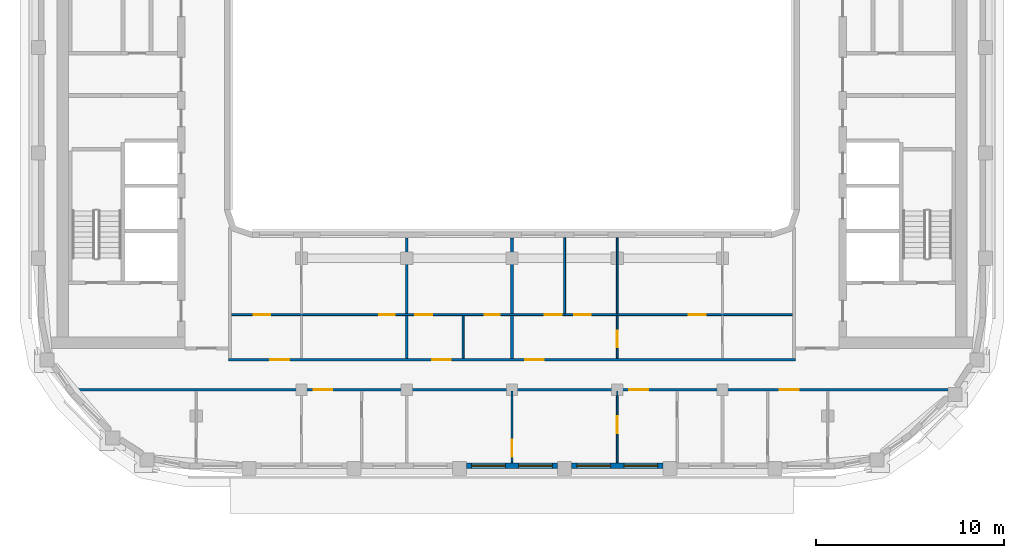
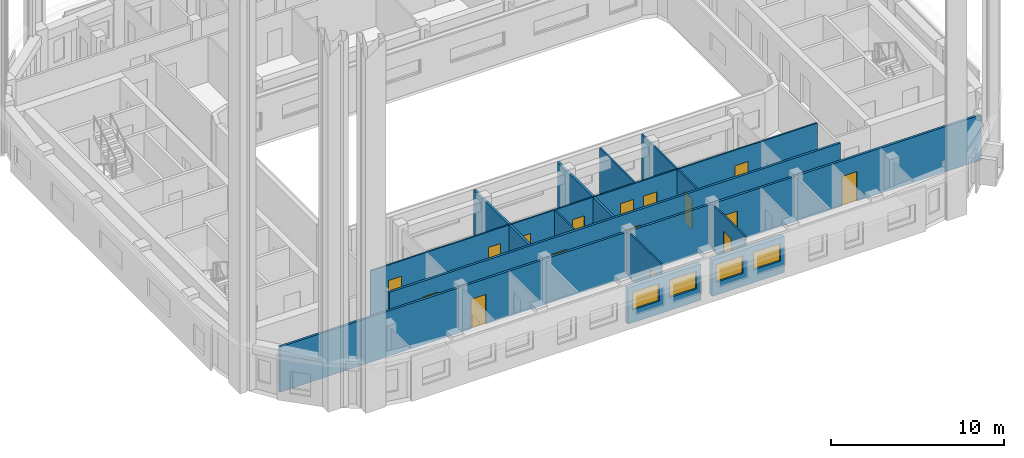
# One storey, part 3 of 15: 16 doors, 15 walls, 4 windows, 20 openings.
"""IFC4 building model written with IfcOpenShell, lengths in metres."""

from ifc_helpers import new_model, si_unit, direction, frame, frame_2d, origin, place, context, subcontext, project, spatial, rectangle, extrude, material, layer, layer_set, type_object, element, fill, save


model = new_model("IFC4")

# Units and contexts
model_context = context("Model", 3, precision=1e-05, world=origin(), true_north=direction((0.0, 1.0)))
body_context = subcontext(model_context, "Body", "Model", "MODEL_VIEW")
ifc_project = project(units=[si_unit("LENGTHUNIT", "METRE"), si_unit("AREAUNIT", "SQUARE_METRE"), si_unit("VOLUMEUNIT", "CUBIC_METRE"), si_unit("PLANEANGLEUNIT", "RADIAN"), si_unit("MASSUNIT", "GRAM", prefix="KILO")], contexts=[model_context])

# Site, building, storey
site_placement = place(None, origin())
site = spatial("IfcSite", under=ifc_project, at=site_placement, CompositionType="ELEMENT")
building_placement = place(site_placement, origin())
building = spatial("IfcBuilding", under=site, at=building_placement, Name="Kiln Ring Residences", CompositionType="ELEMENT")
storey_placement = place(building_placement, frame((0.0, 0.0, 266.199951171875)))
storey = spatial("IfcBuildingStorey", under=building, at=storey_placement, Name="L69", CompositionType="ELEMENT", Elevation=266.199951171875)

# Wall, openings, windows
ifc_material_1 = material(Name="Brick masonry, dark clay brick", Category="masonry")
ifc_layer_1 = layer(ifc_material_1, 0.300048828125)
ifc_layer_set_1 = layer_set([ifc_layer_1], Name="EW-300 BRICK WALL")
wall_type_1 = type_object("IfcWallType", Name="EW-300 BRICK WALL", PredefinedType="SOLIDWALL", material=ifc_layer_set_1)
wall_1_placement = place(storey_placement, frame((-2.425048828125, -19.449951171875, 0.0), z_axis=(0.0, 0.0, 1.0), x_axis=(1.0, 0.0, 0.0)))
wall_1 = element("IfcWall", 1, at=wall_1_placement, inside=storey, type_object=wall_type_1, Name="Facade wall L69 7", PredefinedType="SOLIDWALL", context=body_context, shape_type="SweptSolid", body=[
    extrude(rectangle(XDim=4.85009765625, YDim=0.300048828125, at=frame_2d((2.425048828125, 0.0))), origin(), (0.0, 0.0, 1.0), 2.550048828125),
])
opening_1_placement = place(wall_1_placement, frame((0.27490234375, 0.0, 0.89990234375)))
opening_1 = element("IfcOpeningElement", 2, at=opening_1_placement, cuts=wall_1, Name="Opening W2", PredefinedType="OPENING", context=body_context, shape_type="SweptSolid", body=[
    extrude(rectangle(XDim=1.800048828125, YDim=1.25, at=frame_2d((0.89990234375, 0.625))), frame((0.0, 0.159912109375, 0.0), z_axis=(0.0, -1.0, 0.0), x_axis=(1.0, 0.0, 0.0)), (0.0, 0.0, 1.0), 0.320068359375),
])
opening_2_placement = place(wall_1_placement, frame((2.77490234375, 0.0, 0.89990234375)))
opening_2 = element("IfcOpeningElement", 3, at=opening_2_placement, cuts=wall_1, Name="Opening W2", PredefinedType="OPENING", context=body_context, shape_type="SweptSolid", body=[
    extrude(rectangle(XDim=1.800048828125, YDim=1.25, at=frame_2d((0.89990234375, 0.625))), frame((0.0, 0.159912109375, 0.0), z_axis=(0.0, -1.0, 0.0), x_axis=(1.0, 0.0, 0.0)), (0.0, 0.0, 1.0), 0.320068359375),
])
ifc_material_2 = material(Name="Aluminium frame with double glazing", Category="aluminium")
window_type = type_object("IfcWindowType", Name="WINDOW 1800 x 1250", PartitioningType="SINGLE_PANEL", PredefinedType="WINDOW", material=ifc_material_2)
window_1_placement = place(opening_1_placement, origin())
window_1 = element("IfcWindow", 4, at=window_1_placement, inside=storey, type_object=window_type, Name="Window L69 8", OverallHeight=1.25, OverallWidth=1.800048828125, PartitioningType="SINGLE_PANEL", PredefinedType="WINDOW", context=body_context, shape_type="SweptSolid", body=[
    extrude(rectangle(XDim=1.800048828125, YDim=1.25, at=frame_2d((0.89990234375, 0.625))), frame((0.0, 0.030029296875, 0.0), z_axis=(0.0, -1.0, 0.0), x_axis=(1.0, 0.0, 0.0)), (0.0, 0.0, 1.0), 0.06005859375),
])
fill(opening_1, window_1)
window_2_placement = place(opening_2_placement, origin())
window_2 = element("IfcWindow", 5, at=window_2_placement, inside=storey, type_object=window_type, Name="Window L69 9", OverallHeight=1.25, OverallWidth=1.800048828125, PartitioningType="SINGLE_PANEL", PredefinedType="WINDOW", context=body_context, shape_type="SweptSolid", body=[
    extrude(rectangle(XDim=1.800048828125, YDim=1.25, at=frame_2d((0.89990234375, 0.625))), frame((0.0, 0.030029296875, 0.0), z_axis=(0.0, -1.0, 0.0), x_axis=(1.0, 0.0, 0.0)), (0.0, 0.0, 1.0), 0.06005859375),
])
fill(opening_2, window_2)

wall_2_placement = place(storey_placement, frame((3.175048828125, -19.449951171875, 0.0), z_axis=(0.0, 0.0, 1.0), x_axis=(1.0, 0.0, 0.0)))
wall_2 = element("IfcWall", 6, at=wall_2_placement, inside=storey, type_object=wall_type_1, Name="Facade wall L69 8", PredefinedType="SOLIDWALL", context=body_context, shape_type="SweptSolid", body=[
    extrude(rectangle(XDim=4.849853515625, YDim=0.300048828125, at=frame_2d((2.4248046875, 0.0))), origin(), (0.0, 0.0, 1.0), 2.550048828125),
])
opening_3_placement = place(wall_2_placement, frame((0.27490234375, 0.0, 0.89990234375)))
opening_3 = element("IfcOpeningElement", 7, at=opening_3_placement, cuts=wall_2, Name="Opening W2", PredefinedType="OPENING", context=body_context, shape_type="SweptSolid", body=[
    extrude(rectangle(XDim=1.800048828125, YDim=1.25, at=frame_2d((0.89990234375, 0.625))), frame((0.0, 0.159912109375, 0.0), z_axis=(0.0, -1.0, 0.0), x_axis=(1.0, 0.0, 0.0)), (0.0, 0.0, 1.0), 0.320068359375),
])
opening_4_placement = place(wall_2_placement, frame((2.77490234375, 0.0, 0.89990234375)))
opening_4 = element("IfcOpeningElement", 8, at=opening_4_placement, cuts=wall_2, Name="Opening W2", PredefinedType="OPENING", context=body_context, shape_type="SweptSolid", body=[
    extrude(rectangle(XDim=1.800048828125, YDim=1.25, at=frame_2d((0.89990234375, 0.625))), frame((0.0, 0.159912109375, 0.0), z_axis=(0.0, -1.0, 0.0), x_axis=(1.0, 0.0, 0.0)), (0.0, 0.0, 1.0), 0.320068359375),
])
window_3_placement = place(opening_3_placement, origin())
window_3 = element("IfcWindow", 9, at=window_3_placement, inside=storey, type_object=window_type, Name="Window L69 10", OverallHeight=1.25, OverallWidth=1.800048828125, PartitioningType="SINGLE_PANEL", PredefinedType="WINDOW", context=body_context, shape_type="SweptSolid", body=[
    extrude(rectangle(XDim=1.800048828125, YDim=1.25, at=frame_2d((0.89990234375, 0.625))), frame((0.0, 0.030029296875, 0.0), z_axis=(0.0, -1.0, 0.0), x_axis=(1.0, 0.0, 0.0)), (0.0, 0.0, 1.0), 0.06005859375),
])
fill(opening_3, window_3)
window_4_placement = place(opening_4_placement, origin())
window_4 = element("IfcWindow", 10, at=window_4_placement, inside=storey, type_object=window_type, Name="Window L69 11", OverallHeight=1.25, OverallWidth=1.800048828125, PartitioningType="SINGLE_PANEL", PredefinedType="WINDOW", context=body_context, shape_type="SweptSolid", body=[
    extrude(rectangle(XDim=1.800048828125, YDim=1.25, at=frame_2d((0.89990234375, 0.625))), frame((0.0, 0.030029296875, 0.0), z_axis=(0.0, -1.0, 0.0), x_axis=(1.0, 0.0, 0.0)), (0.0, 0.0, 1.0), 0.06005859375),
])
fill(opening_4, window_4)

# Wall, openings, doors
ifc_material_3 = material(Name="Gypsum board on steel studs", Category="steel")
ifc_layer_2 = layer(ifc_material_3, 0.10009765625)
ifc_layer_set_2 = layer_set([ifc_layer_2], Name="PARTITION-100")
wall_type_2 = type_object("IfcWallType", Name="PARTITION-100", PredefinedType="PARTITIONING", material=ifc_layer_set_2)
wall_3_placement = place(storey_placement, frame((-14.925048828125, -11.39990234375, 0.0), z_axis=(0.0, 0.0, 1.0), x_axis=(1.0, 0.0, 0.0)))
wall_3 = element("IfcWall", 11, at=wall_3_placement, inside=storey, type_object=wall_type_2, Name="Partition 004", PredefinedType="PARTITIONING", context=body_context, shape_type="SweptSolid", body=[
    extrude(rectangle(XDim=29.85009765625, YDim=0.10009765625, at=frame_2d((14.925048828125, 0.0))), origin(), (0.0, 0.0, 1.0), 3.199951171875),
])
opening_5_placement = place(wall_3_placement, frame((7.875, 0.0, 0.0)))
opening_5 = element("IfcOpeningElement", 12, at=opening_5_placement, cuts=wall_3, Name="Opening L69-D024", PredefinedType="OPENING", context=body_context, shape_type="SweptSolid", body=[
    extrude(rectangle(XDim=0.800048828125, YDim=2.10009765625, at=frame_2d((0.39990234375, 1.050048828125))), frame((0.0, 0.06005859375, 0.0), z_axis=(0.0, -1.0, 0.0), x_axis=(1.0, 0.0, 0.0)), (0.0, 0.0, 1.0), 0.1201171875),
])
opening_6_placement = place(wall_3_placement, frame((1.175048828125, 0.0, 0.0)))
opening_6 = element("IfcOpeningElement", 13, at=opening_6_placement, cuts=wall_3, Name="Opening L69-D025", PredefinedType="OPENING", context=body_context, shape_type="SweptSolid", body=[
    extrude(rectangle(XDim=0.89990234375, YDim=2.10009765625, at=frame_2d((0.449951171875, 1.050048828125))), frame((0.0, 0.06005859375, 0.0), z_axis=(0.0, -1.0, 0.0), x_axis=(1.0, 0.0, 0.0)), (0.0, 0.0, 1.0), 0.1201171875),
])
opening_7_placement = place(wall_3_placement, frame((13.47509765625, 0.0, 0.0)))
opening_7 = element("IfcOpeningElement", 14, at=opening_7_placement, cuts=wall_3, Name="Opening L69-D028", PredefinedType="OPENING", context=body_context, shape_type="SweptSolid", body=[
    extrude(rectangle(XDim=0.800048828125, YDim=2.10009765625, at=frame_2d((0.39990234375, 1.050048828125))), frame((0.0, 0.06005859375, 0.0), z_axis=(0.0, -1.0, 0.0), x_axis=(1.0, 0.0, 0.0)), (0.0, 0.0, 1.0), 0.1201171875),
])
opening_8_placement = place(wall_3_placement, frame((9.77490234375, 0.0, 0.0)))
opening_8 = element("IfcOpeningElement", 15, at=opening_8_placement, cuts=wall_3, Name="Opening L69-D029", PredefinedType="OPENING", context=body_context, shape_type="SweptSolid", body=[
    extrude(rectangle(XDim=0.89990234375, YDim=2.10009765625, at=frame_2d((0.449951171875, 1.050048828125))), frame((0.0, 0.06005859375, 0.0), z_axis=(0.0, -1.0, 0.0), x_axis=(1.0, 0.0, 0.0)), (0.0, 0.0, 1.0), 0.1201171875),
])
opening_9_placement = place(wall_3_placement, frame((16.675048828125, 0.0, 0.0)))
opening_9 = element("IfcOpeningElement", 16, at=opening_9_placement, cuts=wall_3, Name="Opening L69-D033", PredefinedType="OPENING", context=body_context, shape_type="SweptSolid", body=[
    extrude(rectangle(XDim=0.89990234375, YDim=2.10009765625, at=frame_2d((0.449951171875, 1.050048828125))), frame((0.0, 0.06005859375, 0.0), z_axis=(0.0, -1.0, 0.0), x_axis=(1.0, 0.0, 0.0)), (0.0, 0.0, 1.0), 0.1201171875),
])
opening_10_placement = place(wall_3_placement, frame((18.22509765625, 0.0, 0.0)))
opening_10 = element("IfcOpeningElement", 17, at=opening_10_placement, cuts=wall_3, Name="Opening L69-D034", PredefinedType="OPENING", context=body_context, shape_type="SweptSolid", body=[
    extrude(rectangle(XDim=0.89990234375, YDim=2.10009765625, at=frame_2d((0.449951171875, 1.050048828125))), frame((0.0, 0.06005859375, 0.0), z_axis=(0.0, -1.0, 0.0), x_axis=(1.0, 0.0, 0.0)), (0.0, 0.0, 1.0), 0.1201171875),
])
opening_11_placement = place(wall_3_placement, frame((24.324951171875, 0.0, 0.0)))
opening_11 = element("IfcOpeningElement", 18, at=opening_11_placement, cuts=wall_3, Name="Opening L69-D035", PredefinedType="OPENING", context=body_context, shape_type="SweptSolid", body=[
    extrude(rectangle(XDim=0.89990234375, YDim=2.10009765625, at=frame_2d((0.449951171875, 1.050048828125))), frame((0.0, 0.06005859375, 0.0), z_axis=(0.0, -1.0, 0.0), x_axis=(1.0, 0.0, 0.0)), (0.0, 0.0, 1.0), 0.1201171875),
])
ifc_material_4 = material(Name="Timber door leaf", Category="wood")
door_type_1 = type_object("IfcDoorType", Name="FLAT-DOOR-800-PL", OperationType="SINGLE_SWING_LEFT", PredefinedType="DOOR", material=ifc_material_4)
door_1_placement = place(opening_5_placement, origin())
door_1 = element("IfcDoor", 19, at=door_1_placement, inside=storey, type_object=door_type_1, Name="Door L69-D024", OperationType="SINGLE_SWING_RIGHT", OverallHeight=2.10009765625, OverallWidth=0.800048828125, PredefinedType="DOOR", context=body_context, shape_type="SweptSolid", body=[
    extrude(rectangle(XDim=0.800048828125, YDim=2.10009765625, at=frame_2d((0.39990234375, 1.050048828125))), frame((0.0, 0.02490234375, 0.0), z_axis=(0.0, -1.0, 0.0), x_axis=(1.0, 0.0, 0.0)), (0.0, 0.0, 1.0), 0.050048828125),
])
fill(opening_5, door_1)
door_2_placement = place(opening_7_placement, origin())
door_2 = element("IfcDoor", 20, at=door_2_placement, inside=storey, type_object=door_type_1, Name="Door L69-D028", OperationType="SINGLE_SWING_RIGHT", OverallHeight=2.10009765625, OverallWidth=0.800048828125, PredefinedType="DOOR", context=body_context, shape_type="SweptSolid", body=[
    extrude(rectangle(XDim=0.800048828125, YDim=2.10009765625, at=frame_2d((0.39990234375, 1.050048828125))), frame((0.0, 0.02490234375, 0.0), z_axis=(0.0, -1.0, 0.0), x_axis=(1.0, 0.0, 0.0)), (0.0, 0.0, 1.0), 0.050048828125),
])
fill(opening_7, door_2)
ifc_material_5 = material(Name="Timber door leaf", Category="wood")
door_type_2 = type_object("IfcDoorType", Name="FLAT-DOOR-900-PL", OperationType="SINGLE_SWING_LEFT", PredefinedType="DOOR", material=ifc_material_5)
door_3_placement = place(opening_6_placement, origin())
door_3 = element("IfcDoor", 21, at=door_3_placement, inside=storey, type_object=door_type_2, Name="Door L69-D025", OperationType="SINGLE_SWING_RIGHT", OverallHeight=2.10009765625, OverallWidth=0.89990234375, PredefinedType="DOOR", context=body_context, shape_type="SweptSolid", body=[
    extrude(rectangle(XDim=0.89990234375, YDim=2.10009765625, at=frame_2d((0.449951171875, 1.050048828125))), frame((0.0, 0.02490234375, 0.0), z_axis=(0.0, -1.0, 0.0), x_axis=(1.0, 0.0, 0.0)), (0.0, 0.0, 1.0), 0.050048828125),
])
fill(opening_6, door_3)
door_4_placement = place(opening_8_placement, origin())
door_4 = element("IfcDoor", 22, at=door_4_placement, inside=storey, type_object=door_type_2, Name="Door L69-D029", OperationType="SINGLE_SWING_RIGHT", OverallHeight=2.10009765625, OverallWidth=0.89990234375, PredefinedType="DOOR", context=body_context, shape_type="SweptSolid", body=[
    extrude(rectangle(XDim=0.89990234375, YDim=2.10009765625, at=frame_2d((0.449951171875, 1.050048828125))), frame((0.0, 0.02490234375, 0.0), z_axis=(0.0, -1.0, 0.0), x_axis=(1.0, 0.0, 0.0)), (0.0, 0.0, 1.0), 0.050048828125),
])
fill(opening_8, door_4)
door_5_placement = place(opening_9_placement, origin())
door_5 = element("IfcDoor", 23, at=door_5_placement, inside=storey, type_object=door_type_2, Name="Door L69-D033", OperationType="SINGLE_SWING_LEFT", OverallHeight=2.10009765625, OverallWidth=0.89990234375, PredefinedType="DOOR", context=body_context, shape_type="SweptSolid", body=[
    extrude(rectangle(XDim=0.89990234375, YDim=2.10009765625, at=frame_2d((0.449951171875, 1.050048828125))), frame((0.0, 0.02490234375, 0.0), z_axis=(0.0, -1.0, 0.0), x_axis=(1.0, 0.0, 0.0)), (0.0, 0.0, 1.0), 0.050048828125),
])
fill(opening_9, door_5)
door_6_placement = place(opening_10_placement, origin())
door_6 = element("IfcDoor", 24, at=door_6_placement, inside=storey, type_object=door_type_2, Name="Door L69-D034", OperationType="SINGLE_SWING_RIGHT", OverallHeight=2.10009765625, OverallWidth=0.89990234375, PredefinedType="DOOR", context=body_context, shape_type="SweptSolid", body=[
    extrude(rectangle(XDim=0.89990234375, YDim=2.10009765625, at=frame_2d((0.449951171875, 1.050048828125))), frame((0.0, 0.02490234375, 0.0), z_axis=(0.0, -1.0, 0.0), x_axis=(1.0, 0.0, 0.0)), (0.0, 0.0, 1.0), 0.050048828125),
])
fill(opening_10, door_6)
door_7_placement = place(opening_11_placement, origin())
door_7 = element("IfcDoor", 25, at=door_7_placement, inside=storey, type_object=door_type_2, Name="Door L69-D035", OperationType="SINGLE_SWING_LEFT", OverallHeight=2.10009765625, OverallWidth=0.89990234375, PredefinedType="DOOR", context=body_context, shape_type="SweptSolid", body=[
    extrude(rectangle(XDim=0.89990234375, YDim=2.10009765625, at=frame_2d((0.449951171875, 1.050048828125))), frame((0.0, 0.02490234375, 0.0), z_axis=(0.0, -1.0, 0.0), x_axis=(1.0, 0.0, 0.0)), (0.0, 0.0, 1.0), 0.050048828125),
])
fill(opening_11, door_7)

# Wall
wall_4_placement = place(storey_placement, frame((-2.60009765625, -13.72509765625, 0.0), z_axis=(0.0, 0.0, 1.0), x_axis=(0.0, 1.0, 0.0)))
element("IfcWall", 26, at=wall_4_placement, inside=storey, type_object=wall_type_2, Name="Partition 026", PredefinedType="PARTITIONING", context=body_context, shape_type="SweptSolid", body=[
    extrude(rectangle(XDim=2.275146484375, YDim=0.10009765625, at=frame_2d((1.1376953125, 0.0))), origin(), (0.0, 0.0, 1.0), 3.199951171875),
])

# Wall, opening, door
wall_5_placement = place(storey_placement, frame((0.0, -19.280029296875, 0.0), z_axis=(0.0, 0.0, 1.0), x_axis=(0.0, 1.0, 0.0)))
wall_5 = element("IfcWall", 27, at=wall_5_placement, inside=storey, type_object=wall_type_2, Name="Partition 027", PredefinedType="PARTITIONING", context=body_context, shape_type="SweptSolid", body=[
    extrude(rectangle(XDim=3.804931640625, YDim=0.10009765625, at=frame_2d((1.90234375, 0.0))), origin(), (0.0, 0.0, 1.0), 3.199951171875),
])
opening_12_placement = place(wall_5_placement, frame((0.3291015625, 0.0, 0.0)))
opening_12 = element("IfcOpeningElement", 28, at=opening_12_placement, cuts=wall_5, Name="Opening L69-D044", PredefinedType="OPENING", context=body_context, shape_type="SweptSolid", body=[
    extrude(rectangle(XDim=0.89990234375, YDim=2.10009765625, at=frame_2d((0.449951171875, 1.050048828125))), frame((0.0, 0.06005859375, 0.0), z_axis=(0.0, -1.0, 0.0), x_axis=(1.0, 0.0, 0.0)), (0.0, 0.0, 1.0), 0.1201171875),
])
door_8_placement = place(opening_12_placement, origin())
door_8 = element("IfcDoor", 29, at=door_8_placement, inside=storey, type_object=door_type_2, Name="Door L69-D044", OperationType="SINGLE_SWING_RIGHT", OverallHeight=2.10009765625, OverallWidth=0.89990234375, PredefinedType="DOOR", context=body_context, shape_type="SweptSolid", body=[
    extrude(rectangle(XDim=0.89990234375, YDim=2.10009765625, at=frame_2d((0.449951171875, 1.050048828125))), frame((0.0, 0.02490234375, 0.0), z_axis=(0.0, -1.0, 0.0), x_axis=(1.0, 0.0, 0.0)), (0.0, 0.0, 1.0), 0.050048828125),
])
fill(opening_12, door_8)

# Wall
wall_6_placement = place(storey_placement, frame((2.800048828125, -11.35009765625, 0.0), z_axis=(0.0, 0.0, 1.0), x_axis=(0.0, 1.0, 0.0)))
element("IfcWall", 30, at=wall_6_placement, inside=storey, type_object=wall_type_2, Name="Partition 033", PredefinedType="PARTITIONING", context=body_context, shape_type="SweptSolid", body=[
    extrude(rectangle(XDim=4.030029296875, YDim=0.10009765625, at=frame_2d((2.01513671875, 0.0))), origin(), (0.0, 0.0, 1.0), 3.199951171875),
])

# Wall, opening, door
wall_7_placement = place(storey_placement, frame((5.60009765625, -19.280029296875, 0.0), z_axis=(0.0, 0.0, 1.0), x_axis=(0.0, 1.0, 0.0)))
wall_7 = element("IfcWall", 31, at=wall_7_placement, inside=storey, type_object=wall_type_2, Name="Partition 034", PredefinedType="PARTITIONING", context=body_context, shape_type="SweptSolid", body=[
    extrude(rectangle(XDim=3.804931640625, YDim=0.10009765625, at=frame_2d((1.90234375, 0.0))), origin(), (0.0, 0.0, 1.0), 3.199951171875),
])
opening_13_placement = place(wall_7_placement, frame((1.5791015625, 0.0, 0.0)))
opening_13 = element("IfcOpeningElement", 32, at=opening_13_placement, cuts=wall_7, Name="Opening L69-D043", PredefinedType="OPENING", context=body_context, shape_type="SweptSolid", body=[
    extrude(rectangle(XDim=0.89990234375, YDim=2.10009765625, at=frame_2d((0.449951171875, 1.050048828125))), frame((0.0, 0.06005859375, 0.0), z_axis=(0.0, -1.0, 0.0), x_axis=(1.0, 0.0, 0.0)), (0.0, 0.0, 1.0), 0.1201171875),
])
door_9_placement = place(opening_13_placement, origin())
door_9 = element("IfcDoor", 33, at=door_9_placement, inside=storey, type_object=door_type_2, Name="Door L69-D043", OperationType="SINGLE_SWING_LEFT", OverallHeight=2.10009765625, OverallWidth=0.89990234375, PredefinedType="DOOR", context=body_context, shape_type="SweptSolid", body=[
    extrude(rectangle(XDim=0.89990234375, YDim=2.10009765625, at=frame_2d((0.449951171875, 1.050048828125))), frame((0.0, 0.02490234375, 0.0), z_axis=(0.0, -1.0, 0.0), x_axis=(1.0, 0.0, 0.0)), (0.0, 0.0, 1.0), 0.050048828125),
])
fill(opening_13, door_9)

wall_8_placement = place(storey_placement, frame((5.60009765625, -13.72509765625, 0.0), z_axis=(0.0, 0.0, 1.0), x_axis=(0.0, 1.0, 0.0)))
wall_8 = element("IfcWall", 34, at=wall_8_placement, inside=storey, type_object=wall_type_2, Name="Partition 035", PredefinedType="PARTITIONING", context=body_context, shape_type="SweptSolid", body=[
    extrude(rectangle(XDim=2.275146484375, YDim=0.10009765625, at=frame_2d((1.1376953125, 0.0))), origin(), (0.0, 0.0, 1.0), 3.199951171875),
])
opening_14_placement = place(wall_8_placement, frame((0.575927734375, 0.0, 0.0)))
opening_14 = element("IfcOpeningElement", 35, at=opening_14_placement, cuts=wall_8, Name="Opening L69-D031", PredefinedType="OPENING", context=body_context, shape_type="SweptSolid", body=[
    extrude(rectangle(XDim=0.89990234375, YDim=2.10009765625, at=frame_2d((0.449951171875, 1.050048828125))), frame((0.0, 0.06005859375, 0.0), z_axis=(0.0, -1.0, 0.0), x_axis=(1.0, 0.0, 0.0)), (0.0, 0.0, 1.0), 0.1201171875),
])
door_10_placement = place(opening_14_placement, origin())
door_10 = element("IfcDoor", 36, at=door_10_placement, inside=storey, type_object=door_type_2, Name="Door L69-D031", OperationType="SINGLE_SWING_LEFT", OverallHeight=2.10009765625, OverallWidth=0.89990234375, PredefinedType="DOOR", context=body_context, shape_type="SweptSolid", body=[
    extrude(rectangle(XDim=0.89990234375, YDim=2.10009765625, at=frame_2d((0.449951171875, 1.050048828125))), frame((0.0, 0.02490234375, 0.0), z_axis=(0.0, -1.0, 0.0), x_axis=(1.0, 0.0, 0.0)), (0.0, 0.0, 1.0), 0.050048828125),
])
fill(opening_14, door_10)

# Wall
wall_9_placement = place(storey_placement, frame((5.60009765625, -11.35009765625, 0.0), z_axis=(0.0, 0.0, 1.0), x_axis=(0.0, 1.0, 0.0)))
element("IfcWall", 37, at=wall_9_placement, inside=storey, type_object=wall_type_2, Name="Partition 036", PredefinedType="PARTITIONING", context=body_context, shape_type="SweptSolid", body=[
    extrude(rectangle(XDim=4.030029296875, YDim=0.10009765625, at=frame_2d((2.01513671875, 0.0))), origin(), (0.0, 0.0, 1.0), 3.199951171875),
])

# Wall, openings, doors
ifc_material_6 = material(Name="Brick masonry partition", Category="masonry")
ifc_layer_3 = layer(ifc_material_6, 0.14990234375)
ifc_layer_set_3 = layer_set([ifc_layer_3], Name="PARTITION-150-ei60")
wall_type_3 = type_object("IfcWallType", Name="PARTITION-150-ei60", PredefinedType="PARTITIONING", material=ifc_layer_set_3)
wall_10_placement = place(storey_placement, frame((-23.322021484375, -15.39990234375, 0.0), z_axis=(0.0, 0.0, 1.0), x_axis=(1.0, 0.0, 0.0)))
wall_10 = element("IfcWall", 38, at=wall_10_placement, inside=storey, type_object=wall_type_3, Name="Partition 000", PredefinedType="PARTITIONING", context=body_context, shape_type="SweptSolid", body=[
    extrude(rectangle(XDim=46.8720703125, YDim=0.14990234375, at=frame_2d((23.43603515625, 0.0))), origin(), (0.0, 0.0, 1.0), 3.199951171875),
])
opening_15_placement = place(wall_10_placement, frame((12.772216796875, 0.0, 0.0)))
opening_15 = element("IfcOpeningElement", 39, at=opening_15_placement, cuts=wall_10, Name="Opening L69-D037", PredefinedType="OPENING", context=body_context, shape_type="SweptSolid", body=[
    extrude(rectangle(XDim=1.0, YDim=2.10009765625, at=frame_2d((0.5, 1.050048828125))), frame((0.0, 0.0849609375, 0.0), z_axis=(0.0, -1.0, 0.0), x_axis=(1.0, 0.0, 0.0)), (0.0, 0.0, 1.0), 0.169921875),
])
opening_16_placement = place(wall_10_placement, frame((29.572021484375, 0.0, 0.0)))
opening_16 = element("IfcOpeningElement", 40, at=opening_16_placement, cuts=wall_10, Name="Opening L69-D041", PredefinedType="OPENING", context=body_context, shape_type="SweptSolid", body=[
    extrude(rectangle(XDim=1.0, YDim=2.10009765625, at=frame_2d((0.5, 1.050048828125))), frame((0.0, 0.0849609375, 0.0), z_axis=(0.0, -1.0, 0.0), x_axis=(1.0, 0.0, 0.0)), (0.0, 0.0, 1.0), 0.169921875),
])
opening_17_placement = place(wall_10_placement, frame((37.572021484375, 0.0, 0.0)))
opening_17 = element("IfcOpeningElement", 41, at=opening_17_placement, cuts=wall_10, Name="Opening L69-D045", PredefinedType="OPENING", context=body_context, shape_type="SweptSolid", body=[
    extrude(rectangle(XDim=1.0, YDim=2.10009765625, at=frame_2d((0.5, 1.050048828125))), frame((0.0, 0.0849609375, 0.0), z_axis=(0.0, -1.0, 0.0), x_axis=(1.0, 0.0, 0.0)), (0.0, 0.0, 1.0), 0.169921875),
])
ifc_material_7 = material(Name="Steel faced fire door leaf", Category="steel")
door_type_3 = type_object("IfcDoorType", Name="FLAT-DOOR-1000-FR", OperationType="SINGLE_SWING_LEFT", PredefinedType="DOOR", material=ifc_material_7)
door_11_placement = place(opening_15_placement, origin())
door_11 = element("IfcDoor", 42, at=door_11_placement, inside=storey, type_object=door_type_3, Name="Door L69-D037", OperationType="SINGLE_SWING_LEFT", OverallHeight=2.10009765625, OverallWidth=1.0, PredefinedType="DOOR", context=body_context, shape_type="SweptSolid", body=[
    extrude(rectangle(XDim=1.0, YDim=2.10009765625, at=frame_2d((0.5, 1.050048828125))), frame((0.0, 0.02490234375, 0.0), z_axis=(0.0, -1.0, 0.0), x_axis=(1.0, 0.0, 0.0)), (0.0, 0.0, 1.0), 0.050048828125),
])
fill(opening_15, door_11)
door_12_placement = place(opening_16_placement, origin())
door_12 = element("IfcDoor", 43, at=door_12_placement, inside=storey, type_object=door_type_3, Name="Door L69-D041", OperationType="SINGLE_SWING_LEFT", OverallHeight=2.10009765625, OverallWidth=1.0, PredefinedType="DOOR", context=body_context, shape_type="SweptSolid", body=[
    extrude(rectangle(XDim=1.0, YDim=2.10009765625, at=frame_2d((0.5, 1.050048828125))), frame((0.0, 0.02490234375, 0.0), z_axis=(0.0, -1.0, 0.0), x_axis=(1.0, 0.0, 0.0)), (0.0, 0.0, 1.0), 0.050048828125),
])
fill(opening_16, door_12)
door_13_placement = place(opening_17_placement, origin())
door_13 = element("IfcDoor", 44, at=door_13_placement, inside=storey, type_object=door_type_3, Name="Door L69-D045", OperationType="SINGLE_SWING_LEFT", OverallHeight=2.10009765625, OverallWidth=1.0, PredefinedType="DOOR", context=body_context, shape_type="SweptSolid", body=[
    extrude(rectangle(XDim=1.0, YDim=2.10009765625, at=frame_2d((0.5, 1.050048828125))), frame((0.0, 0.02490234375, 0.0), z_axis=(0.0, -1.0, 0.0), x_axis=(1.0, 0.0, 0.0)), (0.0, 0.0, 1.0), 0.050048828125),
])
fill(opening_17, door_13)

wall_11_placement = place(storey_placement, frame((-15.074951171875, -13.800048828125, 0.0), z_axis=(0.0, 0.0, 1.0), x_axis=(1.0, 0.0, 0.0)))
wall_11 = element("IfcWall", 45, at=wall_11_placement, inside=storey, type_object=wall_type_3, Name="Partition 001", PredefinedType="PARTITIONING", context=body_context, shape_type="SweptSolid", body=[
    extrude(rectangle(XDim=30.14990234375, YDim=0.14990234375, at=frame_2d((15.074951171875, 0.0))), origin(), (0.0, 0.0, 1.0), 3.199951171875),
])
opening_18_placement = place(wall_11_placement, frame((2.22509765625, 0.0, 0.0)))
opening_18 = element("IfcOpeningElement", 46, at=opening_18_placement, cuts=wall_11, Name="Opening L69-D023", PredefinedType="OPENING", context=body_context, shape_type="SweptSolid", body=[
    extrude(rectangle(XDim=1.0, YDim=2.10009765625, at=frame_2d((0.5, 1.050048828125))), frame((0.0, 0.0849609375, 0.0), z_axis=(0.0, -1.0, 0.0), x_axis=(1.0, 0.0, 0.0)), (0.0, 0.0, 1.0), 0.169921875),
])
opening_19_placement = place(wall_11_placement, frame((10.824951171875, 0.0, 0.0)))
opening_19 = element("IfcOpeningElement", 47, at=opening_19_placement, cuts=wall_11, Name="Opening L69-D027", PredefinedType="OPENING", context=body_context, shape_type="SweptSolid", body=[
    extrude(rectangle(XDim=1.0, YDim=2.10009765625, at=frame_2d((0.5, 1.050048828125))), frame((0.0, 0.0849609375, 0.0), z_axis=(0.0, -1.0, 0.0), x_axis=(1.0, 0.0, 0.0)), (0.0, 0.0, 1.0), 0.169921875),
])
opening_20_placement = place(wall_11_placement, frame((15.77490234375, 0.0, 0.0)))
opening_20 = element("IfcOpeningElement", 48, at=opening_20_placement, cuts=wall_11, Name="Opening L69-D030", PredefinedType="OPENING", context=body_context, shape_type="SweptSolid", body=[
    extrude(rectangle(XDim=1.0, YDim=2.10009765625, at=frame_2d((0.5, 1.050048828125))), frame((0.0, 0.0849609375, 0.0), z_axis=(0.0, -1.0, 0.0), x_axis=(1.0, 0.0, 0.0)), (0.0, 0.0, 1.0), 0.169921875),
])
door_14_placement = place(opening_18_placement, origin())
door_14 = element("IfcDoor", 49, at=door_14_placement, inside=storey, type_object=door_type_3, Name="Door L69-D023", OperationType="SINGLE_SWING_LEFT", OverallHeight=2.10009765625, OverallWidth=1.0, PredefinedType="DOOR", context=body_context, shape_type="SweptSolid", body=[
    extrude(rectangle(XDim=1.0, YDim=2.10009765625, at=frame_2d((0.5, 1.050048828125))), frame((0.0, 0.02490234375, 0.0), z_axis=(0.0, -1.0, 0.0), x_axis=(1.0, 0.0, 0.0)), (0.0, 0.0, 1.0), 0.050048828125),
])
fill(opening_18, door_14)
door_15_placement = place(opening_19_placement, origin())
door_15 = element("IfcDoor", 50, at=door_15_placement, inside=storey, type_object=door_type_3, Name="Door L69-D027", OperationType="SINGLE_SWING_LEFT", OverallHeight=2.10009765625, OverallWidth=1.0, PredefinedType="DOOR", context=body_context, shape_type="SweptSolid", body=[
    extrude(rectangle(XDim=1.0, YDim=2.10009765625, at=frame_2d((0.5, 1.050048828125))), frame((0.0, 0.02490234375, 0.0), z_axis=(0.0, -1.0, 0.0), x_axis=(1.0, 0.0, 0.0)), (0.0, 0.0, 1.0), 0.050048828125),
])
fill(opening_19, door_15)
door_16_placement = place(opening_20_placement, origin())
door_16 = element("IfcDoor", 51, at=door_16_placement, inside=storey, type_object=door_type_3, Name="Door L69-D030", OperationType="SINGLE_SWING_RIGHT", OverallHeight=2.10009765625, OverallWidth=1.0, PredefinedType="DOOR", context=body_context, shape_type="SweptSolid", body=[
    extrude(rectangle(XDim=1.0, YDim=2.10009765625, at=frame_2d((0.5, 1.050048828125))), frame((0.0, 0.02490234375, 0.0), z_axis=(0.0, -1.0, 0.0), x_axis=(1.0, 0.0, 0.0)), (0.0, 0.0, 1.0), 0.050048828125),
])
fill(opening_20, door_16)

# Walls
wall_12_placement = place(storey_placement, frame((-5.60009765625, -13.72509765625, 0.0), z_axis=(0.0, 0.0, 1.0), x_axis=(0.0, 1.0, 0.0)))
element("IfcWall", 52, at=wall_12_placement, inside=storey, type_object=wall_type_3, Name="Partition 024", PredefinedType="PARTITIONING", context=body_context, shape_type="SweptSolid", body=[
    extrude(rectangle(XDim=2.275146484375, YDim=0.14990234375, at=frame_2d((1.1376953125, 0.0))), origin(), (0.0, 0.0, 1.0), 3.199951171875),
])
wall_13_placement = place(storey_placement, frame((-5.60009765625, -11.35009765625, 0.0), z_axis=(0.0, 0.0, 1.0), x_axis=(0.0, 1.0, 0.0)))
element("IfcWall", 53, at=wall_13_placement, inside=storey, type_object=wall_type_3, Name="Partition 025", PredefinedType="PARTITIONING", context=body_context, shape_type="SweptSolid", body=[
    extrude(rectangle(XDim=4.030029296875, YDim=0.14990234375, at=frame_2d((2.01513671875, 0.0))), origin(), (0.0, 0.0, 1.0), 3.199951171875),
])
wall_14_placement = place(storey_placement, frame((0.0, -13.72509765625, 0.0), z_axis=(0.0, 0.0, 1.0), x_axis=(0.0, 1.0, 0.0)))
element("IfcWall", 54, at=wall_14_placement, inside=storey, type_object=wall_type_3, Name="Partition 029", PredefinedType="PARTITIONING", context=body_context, shape_type="SweptSolid", body=[
    extrude(rectangle(XDim=2.275146484375, YDim=0.14990234375, at=frame_2d((1.1376953125, 0.0))), origin(), (0.0, 0.0, 1.0), 3.199951171875),
])
wall_15_placement = place(storey_placement, frame((0.0, -11.35009765625, 0.0), z_axis=(0.0, 0.0, 1.0), x_axis=(0.0, 1.0, 0.0)))
element("IfcWall", 55, at=wall_15_placement, inside=storey, type_object=wall_type_3, Name="Partition 030", PredefinedType="PARTITIONING", context=body_context, shape_type="SweptSolid", body=[
    extrude(rectangle(XDim=4.030029296875, YDim=0.14990234375, at=frame_2d((2.01513671875, 0.0))), origin(), (0.0, 0.0, 1.0), 3.199951171875),
])

save(model, "model.ifc")
